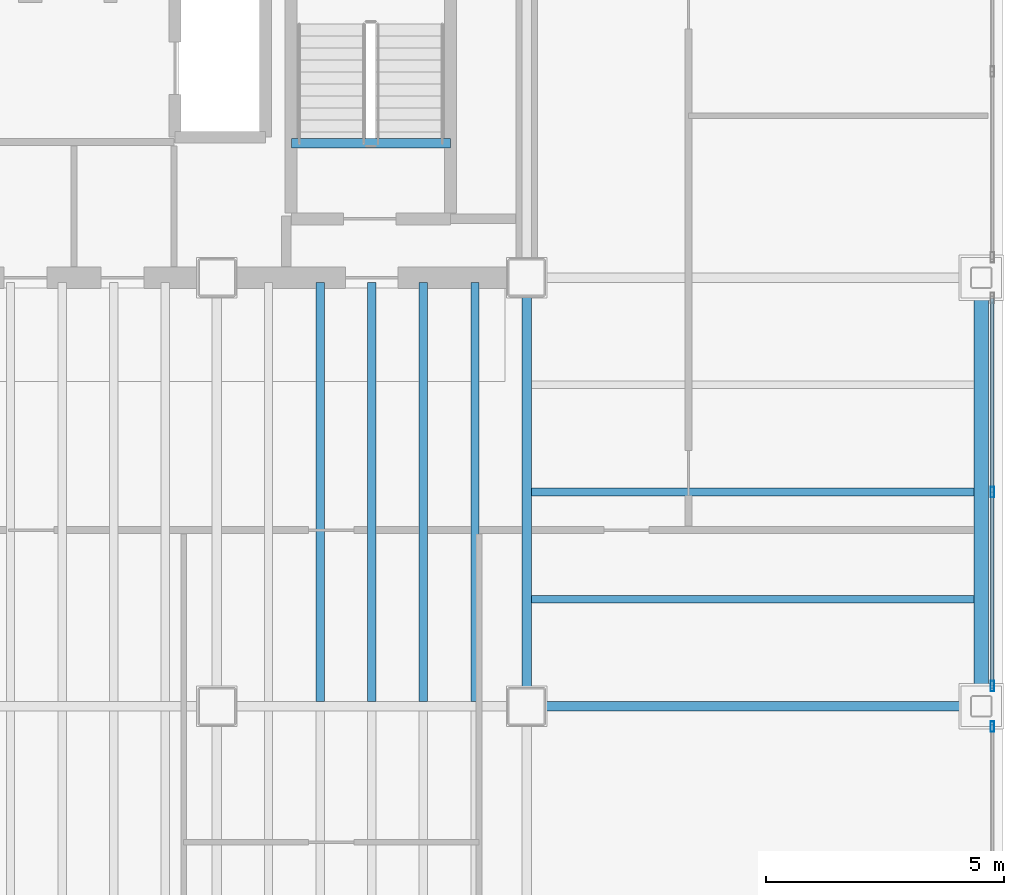
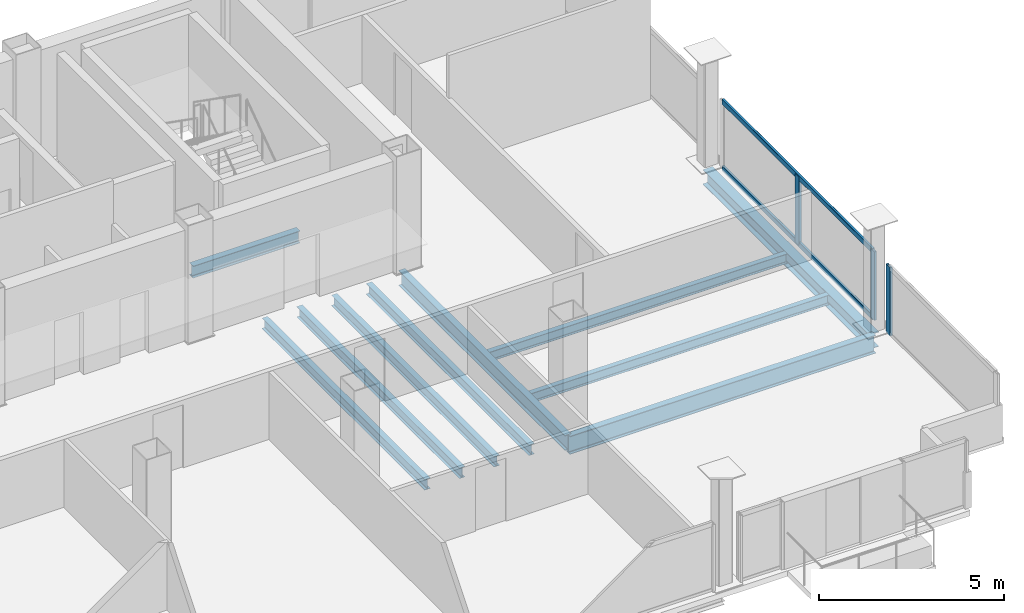
# One storey, part 11 of 17: 10 beams, 5 members, 2 elements without a shape of their own.
"""IFC4 building model written with IfcOpenShell, lengths in metres."""

import ifcopenshell
import ifcopenshell.guid

model = None  # the IFC model being written
_history = None  # IfcOwnerHistory: only IFC2X3 demands one
_inside = {}  # id of a spatial element -> (the spatial element, [elements in it])
_under = {}  # id of a project, library or spatial element -> (it, [spatial elements below it])
_declared = {}  # id of a project -> (the project, [libraries it declares])
_typed = {}  # id of a type object -> (the type object, [elements of that type])
_made_of = {}  # id of a material, layer set ... -> (it, [elements and type objects made of it])


def new_model(schema):
    """Start an empty IFC model of exactly this schema.

    Asked for "IFC4X3", IfcOpenShell would pick the latest addendum, in which some entities
    have other attributes; the version numbers below select the first issue.
    IFC2X3 requires an IfcOwnerHistory on every rooted entity: one is made here for all.
    """
    global model, _history
    if schema == "IFC4X3":
        model = ifcopenshell.file(schema_version=(4, 3, 0, 0))
    else:
        model = ifcopenshell.file(schema=schema)
    _inside.clear()
    _under.clear()
    _declared.clear()
    _typed.clear()
    _made_of.clear()
    _history = None
    if model.schema == "IFC2X3":
        org = make("IfcOrganization", Name="unknown")
        user = make(
            "IfcPersonAndOrganization",
            ThePerson=make("IfcPerson", FamilyName="unknown"),
            TheOrganization=org,
        )
        app = make(
            "IfcApplication",
            ApplicationDeveloper=org,
            Version="unknown",
            ApplicationFullName="unknown",
            ApplicationIdentifier="unknown",
        )
        _history = make(
            "IfcOwnerHistory",
            OwningUser=user,
            OwningApplication=app,
            ChangeAction="ADDED",
            CreationDate=0,
        )
    return model


def make(cls, **values):
    """One entity of the class cls with the attributes given. An attribute that is None is left unset."""
    return model.create_entity(
        cls, **{name: value for name, value in values.items() if value is not None}
    )


def rooted(cls, **values):
    """An entity with a GlobalId (a new one), such as an element, a storey or a relation."""
    return make(cls, GlobalId=ifcopenshell.guid.new(), OwnerHistory=_history, **values)


def si_unit(unit_type, name, prefix=None):
    """IfcSIUnit, for example si_unit("LENGTHUNIT", "METRE", prefix="MILLI")."""
    return make("IfcSIUnit", UnitType=unit_type, Prefix=prefix, Name=name)


def assignment(units):
    """IfcUnitAssignment: the units of a project."""
    return None if units is None else make("IfcUnitAssignment", Units=units)


def point(xyz):
    """IfcCartesianPoint."""
    return None if xyz is None else make("IfcCartesianPoint", Coordinates=xyz)


def direction(xyz):
    """IfcDirection."""
    return None if xyz is None else make("IfcDirection", DirectionRatios=xyz)


def frame(location, z_axis=None, x_axis=None):
    """IfcAxis2Placement3D, a coordinate frame: its origin and axes. An axis left out is left unset."""
    return make(
        "IfcAxis2Placement3D",
        Location=point(location),
        Axis=direction(z_axis),
        RefDirection=direction(x_axis),
    )


def frame_2d(location, x_axis=None):
    """IfcAxis2Placement2D, a coordinate frame in the plane: its origin and x axis."""
    return make(
        "IfcAxis2Placement2D", Location=point(location), RefDirection=direction(x_axis)
    )


def origin():
    """The frame at (0, 0, 0) with its axes left unset."""
    return frame((0.0, 0.0, 0.0))


def origin_2d():
    """The frame at (0, 0) in the plane with its x axis left unset."""
    return frame_2d((0.0, 0.0))


def place(relative_to, where):
    """IfcLocalPlacement: puts the frame where relative to a parent placement (None: the world)."""
    return make(
        "IfcLocalPlacement", PlacementRelTo=relative_to, RelativePlacement=where
    )


def context(
    kind, dimensions, precision=None, world=None, true_north=None, identifier=None
):
    """IfcGeometricRepresentationContext, for example the 3D "Model" context."""
    return make(
        "IfcGeometricRepresentationContext",
        ContextIdentifier=identifier,
        ContextType=kind,
        CoordinateSpaceDimension=dimensions,
        Precision=precision,
        WorldCoordinateSystem=world,
        TrueNorth=true_north,
    )


def subcontext(parent, identifier, kind, view, scale=None):
    """IfcGeometricRepresentationSubContext, for example "Body" below "Model"."""
    return make(
        "IfcGeometricRepresentationSubContext",
        ContextIdentifier=identifier,
        ContextType=kind,
        ParentContext=parent,
        TargetScale=scale,
        TargetView=view,
    )


def project(units=None, contexts=None):
    """IfcProject with its units and contexts."""
    return rooted(
        "IfcProject",
        Name="project",
        RepresentationContexts=contexts,
        UnitsInContext=assignment(units),
    )


def spatial(cls, under=None, at=None, **own):
    """A site, building, storey or space (cls), placed at a placement, below another one or the project."""
    s = rooted(cls, ObjectPlacement=at, **own)
    if under is not None:
        _under.setdefault(under.id(), (under, []))[1].append(s)
    return s


def profile(cls, at=None, kind="AREA", **sizes):
    """A parametric profile (cls). Its sizes go by their IFC names, for example OverallWidth=200.0."""
    return make(cls, ProfileType=kind, Position=at, **sizes)


def hollow_rectangle(**sizes):
    """IfcRectangleHollowProfileDef."""
    return profile("IfcRectangleHollowProfileDef", **sizes)


def i_section(**sizes):
    """IfcIShapeProfileDef."""
    return profile("IfcIShapeProfileDef", **sizes)


def extrude(swept, where, along, depth):
    """IfcExtrudedAreaSolid: the profile swept, set in the frame where, extruded along a direction by depth."""
    return make(
        "IfcExtrudedAreaSolid",
        SweptArea=swept,
        Position=where,
        ExtrudedDirection=direction(along),
        Depth=depth,
    )


def shape(context_of_items, identifier, shape_type, items):
    """IfcShapeRepresentation: the items that make up one representation, for example the "Body"."""
    return make(
        "IfcShapeRepresentation",
        ContextOfItems=context_of_items,
        RepresentationIdentifier=identifier,
        RepresentationType=shape_type,
        Items=items,
    )


def material(Name=None, Category=None):
    """IfcMaterial."""
    return make("IfcMaterial", Name=Name, Category=Category)


def material_profile(
    of_material, cross_section, Name=None, Category=None, Priority=None
):
    """IfcMaterialProfile: a cross section and its material."""
    return make(
        "IfcMaterialProfile",
        Name=Name,
        Material=of_material,
        Profile=cross_section,
        Priority=Priority,
        Category=Category,
    )


def profile_set(profiles, Name=None, composite=None):
    """IfcMaterialProfileSet."""
    return make(
        "IfcMaterialProfileSet",
        Name=Name,
        MaterialProfiles=profiles,
        CompositeProfile=composite,
    )


def made_of(thing, what):
    """Note that an element or type object is made of a material, layer set ...; save() writes the relation."""
    if what is not None:
        _made_of.setdefault(what.id(), (what, []))[1].append(thing)
    return thing


def type_object(cls, material=None, **own):
    """A type object (cls), such as IfcWallType, which elements share."""
    return made_of(rooted(cls, **own), material)


def element(
    cls,
    number,
    at=None,
    inside=None,
    cuts=None,
    type_object=None,
    material=None,
    context=None,
    identifier="Body",
    shape_type=None,
    held_by="IfcProductDefinitionShape",
    body=None,
    shapes=None,
    **own,
):
    """One element of the class cls, such as IfcWall. Its Tag is "e" and its number.

    at: its placement. inside: the storey or other place that contains it. cuts: it is an
    opening in that element (IfcRelVoidsElement). A single representation is given by context,
    identifier, shape_type and body (its items); several are given by shapes. held_by: the class
    of the entity that holds the representations. save() writes the other relations.
    """
    e = rooted(cls, Tag="e%d" % number, ObjectPlacement=at, **own)
    if body is not None:
        shapes = [shape(context, identifier, shape_type, body)]
    if shapes is not None:
        e.Representation = make(held_by, Representations=shapes)
    if inside is not None:
        _inside.setdefault(inside.id(), (inside, []))[1].append(e)
    if cuts is not None:
        rooted(
            "IfcRelVoidsElement", RelatingBuildingElement=cuts, RelatedOpeningElement=e
        )
    if type_object is not None:
        _typed.setdefault(type_object.id(), (type_object, []))[1].append(e)
    return made_of(e, material)


def aggregate(whole, parts):
    """IfcRelAggregates: a whole, such as a stair, and the parts it consists of."""
    return rooted("IfcRelAggregates", RelatingObject=whole, RelatedObjects=parts)


def save(model, path):
    """Write the relations noted so far, then the file.

    IfcRelAggregates (storeys below a building ...), IfcRelContainedInSpatialStructure (elements
    in a storey), IfcRelDefinesByType, IfcRelAssociatesMaterial and IfcRelDeclares: one each for
    every whole, place, type object, material and project.
    """
    for whole, parts in _under.values():
        aggregate(whole, parts)
    for where, things in _inside.values():
        rooted(
            "IfcRelContainedInSpatialStructure",
            RelatedElements=things,
            RelatingStructure=where,
        )
    for kind, things in _typed.values():
        rooted("IfcRelDefinesByType", RelatedObjects=things, RelatingType=kind)
    for what, things in _made_of.values():
        rooted("IfcRelAssociatesMaterial", RelatedObjects=things, RelatingMaterial=what)
    for by, libraries in _declared.values():
        rooted("IfcRelDeclares", RelatingContext=by, RelatedDefinitions=libraries)
    model.write(path)


model = new_model("IFC4")

# Units and contexts
model_context = context("Model", 3, precision=1e-05, world=origin(), true_north=direction((0.0, 1.0)))
body_context = subcontext(model_context, "Body", "Model", "MODEL_VIEW")
ifc_project = project(units=[si_unit("LENGTHUNIT", "METRE"), si_unit("AREAUNIT", "SQUARE_METRE"), si_unit("VOLUMEUNIT", "CUBIC_METRE"), si_unit("PLANEANGLEUNIT", "RADIAN"), si_unit("MASSUNIT", "GRAM", prefix="KILO")], contexts=[model_context])

# Site, building, storey
site_placement = place(None, origin())
site = spatial("IfcSite", under=ifc_project, at=site_placement, CompositionType="ELEMENT")
building_placement = place(site_placement, origin())
building = spatial("IfcBuilding", under=site, at=building_placement, Name="Noeulbin Bourse Tower", CompositionType="ELEMENT")
storey_placement = place(building_placement, frame((0.0, 0.0, 226.699951171875)))
storey = spatial("IfcBuildingStorey", under=building, at=storey_placement, Name="L56", CompositionType="ELEMENT", Elevation=226.699951171875)

# Beams
ifc_material_1 = material(Name="Steel S355", Category="steel")
ifc_material_profile_1 = material_profile(ifc_material_1, i_section(OverallWidth=0.199951171875, OverallDepth=0.5, WebThickness=0.010009765625, FlangeThickness=0.01611328125, FilletRadius=0.02001953125, at=origin_2d()), Name="H-500x200x10x16", Category="LoadBearing")
ifc_profile_set_1 = profile_set([ifc_material_profile_1], Name="Steel S355")
beam_type_1 = type_object("IfcBeamType", Name="BM-GRD-500", PredefinedType="USERDEFINED", material=ifc_profile_set_1)
beam_1_placement = place(storey_placement, frame((44.0, 20.0, -0.429931640625), z_axis=(0.0, 1.0, 0.0), x_axis=(-1.0, 0.0, 0.0)))
element("IfcBeam", 1, at=beam_1_placement, inside=storey, type_object=beam_type_1, Name="Tower Primary Girder NS L56-5.2", ObjectType="GIRDER", PredefinedType="USERDEFINED", context=body_context, shape_type="SweptSolid", body=[
    extrude(i_section(OverallWidth=0.199951171875, OverallDepth=0.5, WebThickness=0.010009765625, FlangeThickness=0.01611328125, FilletRadius=0.02001953125, at=origin_2d()), origin(), (0.0, 0.0, 1.0), 9.0),
])
ifc_material_profile_2 = material_profile(ifc_material_1, i_section(OverallWidth=0.199951171875, OverallDepth=0.60009765625, WebThickness=0.010986328125, FlangeThickness=0.01708984375, FilletRadius=0.02197265625, at=origin_2d()), Name="H-600x200x11x17", Category="LoadBearing")
ifc_profile_set_2 = profile_set([ifc_material_profile_2], Name="Steel S355")
beam_type_2 = type_object("IfcBeamType", Name="BM-GRD-600", PredefinedType="USERDEFINED", material=ifc_profile_set_2)
beam_2_placement = place(storey_placement, frame((44.0, 20.0, -0.47998046875), z_axis=(1.0, 0.0, 0.0), x_axis=(0.0, 1.0, 0.0)))
element("IfcBeam", 2, at=beam_2_placement, inside=storey, type_object=beam_type_2, Name="Tower Primary Girder EW L56-1.6", ObjectType="GIRDER", PredefinedType="USERDEFINED", context=body_context, shape_type="SweptSolid", body=[
    extrude(i_section(OverallWidth=0.199951171875, OverallDepth=0.60009765625, WebThickness=0.010986328125, FlangeThickness=0.01708984375, FilletRadius=0.02197265625, at=origin_2d()), origin(), (0.0, 0.0, 1.0), 9.550048828125),
])
ifc_material_profile_3 = material_profile(ifc_material_1, i_section(OverallWidth=0.159912109375, OverallDepth=0.320068359375, WebThickness=0.006591796875, FlangeThickness=0.010009765625, FilletRadius=0.012939453125, at=origin_2d()), Name="H-320x160x6.5x10", Category="LoadBearing")
ifc_profile_set_3 = profile_set([ifc_material_profile_3], Name="Steel S355")
beam_type_3 = type_object("IfcBeamType", Name="BM-JST-320", PredefinedType="JOIST", material=ifc_profile_set_3)
for number, where, z_axis, x_axis, name in (
    (3, (44.10009765625, 22.25, -0.33984375), (1.0, 0.0, 0.0), (0.0, 1.0, 0.0), "Wing Composite Joist L56-E50"),
    (4, (44.10009765625, 24.5, -0.33984375), (1.0, 0.0, 0.0), (0.0, 1.0, 0.0), "Wing Composite Joist L56-E51"),
):
    element("IfcBeam", number, at=place(storey_placement, frame(where, z_axis=z_axis, x_axis=x_axis)), inside=storey, type_object=beam_type_3, Name=name, PredefinedType="JOIST", context=body_context, shape_type="SweptSolid", body=[
        extrude(i_section(OverallWidth=0.159912109375, OverallDepth=0.320068359375, WebThickness=0.006591796875, FlangeThickness=0.010009765625, FilletRadius=0.012939453125, at=origin_2d()), origin(), (0.0, 0.0, 1.0), 9.2998046875),
    ])
ifc_material_profile_4 = material_profile(ifc_material_1, i_section(OverallWidth=0.175048828125, OverallDepth=0.35009765625, WebThickness=0.007080078125, FlangeThickness=0.010986328125, FilletRadius=0.013916015625, at=origin_2d()), Name="H-350x175x7x11", Category="LoadBearing")
ifc_profile_set_4 = profile_set([ifc_material_profile_4], Name="Steel S355")
beam_type_4 = type_object("IfcBeamType", Name="BM-JST-350", PredefinedType="JOIST", material=ifc_profile_set_4)
for number, where, z_axis, x_axis, name in (
    (5, (39.666748046875, 20.10009765625, -0.35498046875), (0.0, 1.0, 0.0), (-1.0, 0.0, 0.0), "Tower Composite Joist L56-40"),
    (6, (40.75, 20.10009765625, -0.35498046875), (0.0, 1.0, 0.0), (-1.0, 0.0, 0.0), "Tower Composite Joist L56-42"),
    (7, (41.833251953125, 20.10009765625, -0.35498046875), (0.0, 1.0, 0.0), (-1.0, 0.0, 0.0), "Tower Composite Joist L56-44"),
    (8, (42.916748046875, 20.10009765625, -0.35498046875), (0.0, 1.0, 0.0), (-1.0, 0.0, 0.0), "Tower Composite Joist L56-46"),
):
    element("IfcBeam", number, at=place(storey_placement, frame(where, z_axis=z_axis, x_axis=x_axis)), inside=storey, type_object=beam_type_4, Name=name, PredefinedType="JOIST", context=body_context, shape_type="SweptSolid", body=[
        extrude(i_section(OverallWidth=0.175048828125, OverallDepth=0.35009765625, WebThickness=0.007080078125, FlangeThickness=0.010986328125, FilletRadius=0.013916015625, at=origin_2d()), origin(), (0.0, 0.0, 1.0), 8.7998046875),
    ])
ifc_material_profile_5 = material_profile(ifc_material_1, i_section(OverallWidth=0.199951171875, OverallDepth=0.39990234375, WebThickness=0.008056640625, FlangeThickness=0.012939453125, FilletRadius=0.01611328125, at=origin_2d()), Name="H-400x200x8x13", Category="LoadBearing")
ifc_profile_set_5 = profile_set([ifc_material_profile_5], Name="Steel S355")
beam_type_5 = type_object("IfcBeamType", Name="BM-SEC-400", PredefinedType="BEAM", material=ifc_profile_set_5)
beam_3_placement = place(storey_placement, frame((39.06005859375, 31.820068359375, -0.199951171875), z_axis=(1.0, 0.0, 0.0), x_axis=(0.0, 1.0, 0.0)))
element("IfcBeam", 9, at=beam_3_placement, inside=storey, type_object=beam_type_5, Name="Stair Threshold Trimmer Beam ST2-L56", PredefinedType="BEAM", context=body_context, shape_type="SweptSolid", body=[
    extrude(i_section(OverallWidth=0.199951171875, OverallDepth=0.39990234375, WebThickness=0.008056640625, FlangeThickness=0.012939453125, FilletRadius=0.01611328125, at=origin_2d()), origin(), (0.0, 0.0, 1.0), 3.33984375),
])
ifc_material_profile_6 = material_profile(ifc_material_1, i_section(OverallWidth=0.300048828125, OverallDepth=0.488037109375, WebThickness=0.010986328125, FlangeThickness=0.01806640625, FilletRadius=0.02197265625, at=origin_2d()), Name="H-488x300x11x18", Category="LoadBearing")
ifc_profile_set_6 = profile_set([ifc_material_profile_6], Name="Steel S355")
beam_type_6 = type_object("IfcBeamType", Name="BM-SPN-488", PredefinedType="SPANDREL", material=ifc_profile_set_6)
beam_4_placement = place(storey_placement, frame((53.550048828125, 20.0, -0.424072265625), z_axis=(0.0, 1.0, 0.0), x_axis=(-1.0, 0.0, 0.0)))
element("IfcBeam", 10, at=beam_4_placement, inside=storey, type_object=beam_type_6, Name="East Spandrel L56-1", PredefinedType="SPANDREL", context=body_context, shape_type="SweptSolid", body=[
    extrude(i_section(OverallWidth=0.300048828125, OverallDepth=0.488037109375, WebThickness=0.010986328125, FlangeThickness=0.01806640625, FilletRadius=0.02197265625, at=origin_2d()), origin(), (0.0, 0.0, 1.0), 9.0),
])

# Curtain wall, member
ifc_material_2 = material(Name="High-Selectivity Low-Iron Glazing", Category="glass")
curtain_wall_type = type_object("IfcCurtainWallType", Name="CW-SYS-4", PredefinedType="NOTDEFINED", material=ifc_material_2)
curtain_wall_1_placement = place(storey_placement, origin())
curtain_wall_1 = element("IfcCurtainWall", 11, at=curtain_wall_1_placement, inside=storey, type_object=curtain_wall_type, Name="Unitised Curtain Wall CW-L56-E-S1", PredefinedType="NOTDEFINED")
ifc_material_3 = material(Name="Anodised Aluminium 6063-T6", Category="aluminium")
ifc_material_profile_7 = material_profile(ifc_material_3, hollow_rectangle(XDim=0.074951171875, YDim=0.219970703125, WallThickness=0.0048828125, InnerFilletRadius=0.00244140625, OuterFilletRadius=0.0048828125, at=origin_2d()), Name="ALU-MULL-75x220x5", Category="LoadBearing")
ifc_profile_set_7 = profile_set([ifc_material_profile_7], Name="Anodised Aluminium 6063-T6")
member_type_1 = type_object("IfcMemberType", Name="CW-SYS-4-MUL", PredefinedType="MULLION", material=ifc_profile_set_7)
member_1_placement = place(storey_placement, frame((53.780029296875, 19.574951171875, -0.02001953125), z_axis=(0.0, 0.0, 1.0), x_axis=(1.0, 0.0, 0.0)))
member_1 = element("IfcMember", 12, at=member_1_placement, type_object=member_type_1, Name="Curtain Wall Mullion CW-L56-E-S1-M01", PredefinedType="MULLION", context=body_context, shape_type="SweptSolid", body=[
    extrude(hollow_rectangle(XDim=0.074951171875, YDim=0.219970703125, WallThickness=0.0048828125, InnerFilletRadius=0.00244140625, OuterFilletRadius=0.0048828125, at=origin_2d()), origin(), (0.0, 0.0, 1.0), 2.260009765625),
])
aggregate(curtain_wall_1, [member_1])

# Curtain wall, members
curtain_wall_2_placement = place(storey_placement, origin())
curtain_wall_2 = element("IfcCurtainWall", 13, at=curtain_wall_2_placement, inside=storey, type_object=curtain_wall_type, Name="Unitised Curtain Wall CW-L56-E-S2", PredefinedType="NOTDEFINED")
member_2_placement = place(storey_placement, frame((53.780029296875, 20.425048828125, -0.02001953125), z_axis=(0.0, 0.0, 1.0), x_axis=(1.0, 0.0, 0.0)))
member_2 = element("IfcMember", 14, at=member_2_placement, type_object=member_type_1, Name="Curtain Wall Mullion CW-L56-E-S2-M00", PredefinedType="MULLION", context=body_context, shape_type="SweptSolid", body=[
    extrude(hollow_rectangle(XDim=0.074951171875, YDim=0.219970703125, WallThickness=0.0048828125, InnerFilletRadius=0.00244140625, OuterFilletRadius=0.0048828125, at=origin_2d()), origin(), (0.0, 0.0, 1.0), 2.260009765625),
])
member_3_placement = place(storey_placement, frame((53.780029296875, 24.5, -0.02001953125), z_axis=(0.0, 0.0, 1.0), x_axis=(1.0, 0.0, 0.0)))
member_3 = element("IfcMember", 15, at=member_3_placement, type_object=member_type_1, Name="Curtain Wall Mullion CW-L56-E-S2-M01", PredefinedType="MULLION", context=body_context, shape_type="SweptSolid", body=[
    extrude(hollow_rectangle(XDim=0.074951171875, YDim=0.219970703125, WallThickness=0.0048828125, InnerFilletRadius=0.00244140625, OuterFilletRadius=0.0048828125, at=origin_2d()), origin(), (0.0, 0.0, 1.0), 2.260009765625),
])
ifc_material_profile_8 = material_profile(ifc_material_3, hollow_rectangle(XDim=0.074951171875, YDim=0.159912109375, WallThickness=0.0048828125, InnerFilletRadius=0.00244140625, OuterFilletRadius=0.0048828125, at=origin_2d()), Name="ALU-TRAN-75x160x5", Category="LoadBearing")
ifc_profile_set_8 = profile_set([ifc_material_profile_8], Name="Anodised Aluminium 6063-T6")
member_type_2 = type_object("IfcMemberType", Name="CW-SYS-4-TRN", PredefinedType="USERDEFINED", material=ifc_profile_set_8)
member_4_placement = place(storey_placement, frame((53.780029296875, 20.43505859375, 0.010009765625), z_axis=(0.0, 1.0, 0.0), x_axis=(-1.0, 0.0, 0.0)))
member_4 = element("IfcMember", 16, at=member_4_placement, type_object=member_type_2, Name="Curtain Wall Transom CW-L56-E-S2-T00", ObjectType="TRANSOM", PredefinedType="USERDEFINED", context=body_context, shape_type="SweptSolid", body=[
    extrude(hollow_rectangle(XDim=0.074951171875, YDim=0.159912109375, WallThickness=0.0048828125, InnerFilletRadius=0.00244140625, OuterFilletRadius=0.0048828125, at=origin_2d()), origin(), (0.0, 0.0, 1.0), 8.1298828125),
])
member_5_placement = place(storey_placement, frame((53.780029296875, 20.43505859375, 2.2099609375), z_axis=(0.0, 1.0, 0.0), x_axis=(-1.0, 0.0, 0.0)))
member_5 = element("IfcMember", 17, at=member_5_placement, type_object=member_type_2, Name="Curtain Wall Transom CW-L56-E-S2-T01", ObjectType="TRANSOM", PredefinedType="USERDEFINED", context=body_context, shape_type="SweptSolid", body=[
    extrude(hollow_rectangle(XDim=0.074951171875, YDim=0.159912109375, WallThickness=0.0048828125, InnerFilletRadius=0.00244140625, OuterFilletRadius=0.0048828125, at=origin_2d()), origin(), (0.0, 0.0, 1.0), 8.1298828125),
])
aggregate(curtain_wall_2, [member_2, member_3, member_4, member_5])

save(model, "model.ifc")
